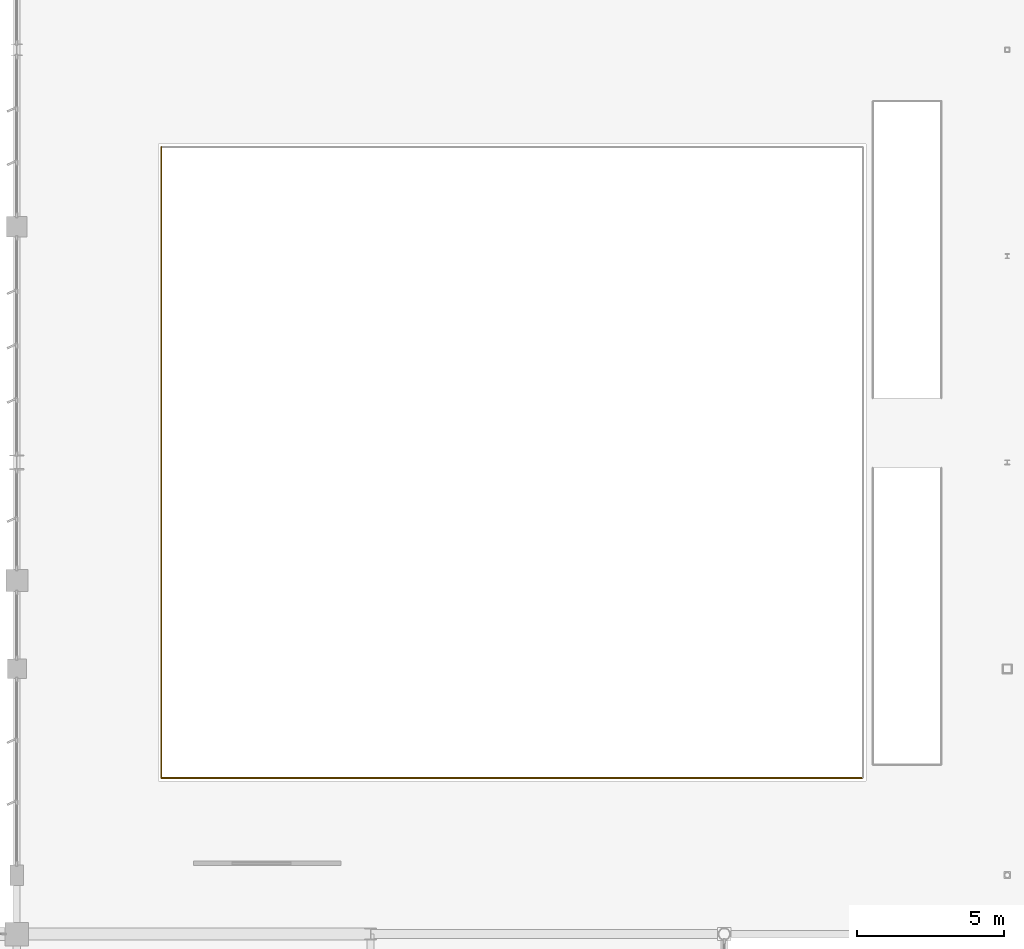
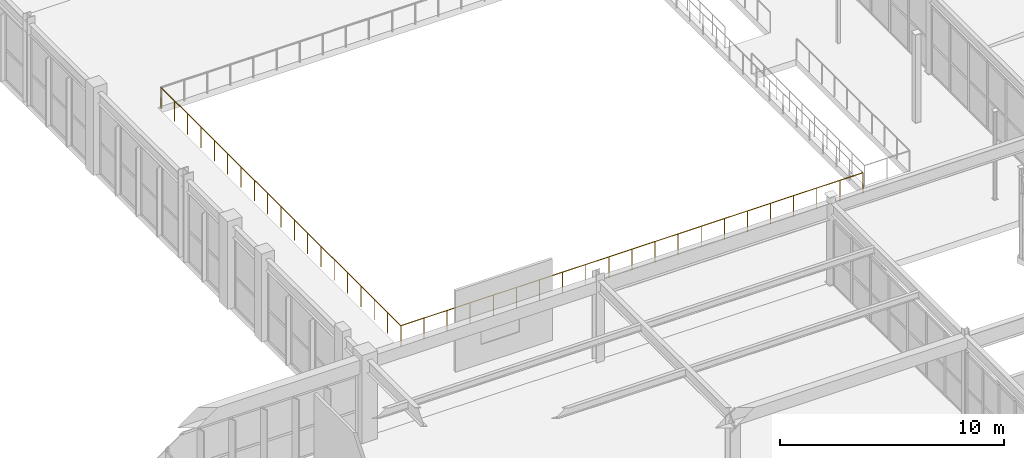
# One storey, part 207 of 226: 2 railings.
"""IFC4 building model written with IfcOpenShell, lengths in metres."""

from ifc_helpers import new_model, si_unit, direction, frame, origin, origin_2d, place, context, subcontext, project, spatial, circle, extrude, material, type_object, element, save


model = new_model("IFC4")

# Units and contexts
model_context = context("Model", 3, precision=1e-05, world=origin(), true_north=direction((0.0, 1.0)))
body_context = subcontext(model_context, "Body", "Model", "MODEL_VIEW")
ifc_project = project(units=[si_unit("LENGTHUNIT", "METRE"), si_unit("AREAUNIT", "SQUARE_METRE"), si_unit("VOLUMEUNIT", "CUBIC_METRE"), si_unit("PLANEANGLEUNIT", "RADIAN"), si_unit("MASSUNIT", "GRAM", prefix="KILO")], contexts=[model_context])

# Site, building, storey
site_placement = place(None, origin())
site = spatial("IfcSite", under=ifc_project, at=site_placement, CompositionType="ELEMENT")
building_placement = place(site_placement, origin())
building = spatial("IfcBuilding", under=site, at=building_placement, Name="Tarnwether General Hospital", CompositionType="ELEMENT")
storey_placement = place(building_placement, frame((0.0, 0.0, 4.800048828125)))
storey = spatial("IfcBuildingStorey", under=building, at=storey_placement, Name="L01", CompositionType="ELEMENT", Elevation=4.800048828125)

# Railings
ifc_material = material(Name="Double glazed low-E glass", Category="glass")
railing_type = type_object("IfcRailingType", Name="RL-BAL-ATR", PredefinedType="BALUSTRADE", material=ifc_material)
railing_1_placement = place(storey_placement, frame((112.89990234375, 50.89990234375, 0.0)))
element("IfcRailing", 1, at=railing_1_placement, inside=storey, type_object=railing_type, Name="Main Hall Atrium Balustrade L01 1", PredefinedType="BALUSTRADE", context=body_context, shape_type="SweptSolid", body=[
    extrude(circle(Radius=0.02392578125, at=origin_2d()), frame((0.0, 0.0, 1.1259765625), z_axis=(1.0, 0.0, 0.0), x_axis=(0.0, 1.0, 0.0)), (0.0, 0.0, 1.0), 23.800048828125),
    extrude(circle(Radius=0.02099609375, at=origin_2d()), origin(), (0.0, 0.0, 1.0), 1.101806640625),
    extrude(circle(Radius=0.02099609375, at=origin_2d()), frame((1.18994140625, 0.0, 0.0)), (0.0, 0.0, 1.0), 1.101806640625),
    extrude(circle(Radius=0.02099609375, at=origin_2d()), frame((2.3798828125, 0.0, 0.0)), (0.0, 0.0, 1.0), 1.101806640625),
    extrude(circle(Radius=0.02099609375, at=origin_2d()), frame((3.570068359375, 0.0, 0.0)), (0.0, 0.0, 1.0), 1.101806640625),
    extrude(circle(Radius=0.02099609375, at=origin_2d()), frame((4.760009765625, 0.0, 0.0)), (0.0, 0.0, 1.0), 1.101806640625),
    extrude(circle(Radius=0.02099609375, at=origin_2d()), frame((5.949951171875, 0.0, 0.0)), (0.0, 0.0, 1.0), 1.101806640625),
    extrude(circle(Radius=0.02099609375, at=origin_2d()), frame((7.14013671875, 0.0, 0.0)), (0.0, 0.0, 1.0), 1.101806640625),
    extrude(circle(Radius=0.02099609375, at=origin_2d()), frame((8.330078125, 0.0, 0.0)), (0.0, 0.0, 1.0), 1.101806640625),
    extrude(circle(Radius=0.02099609375, at=origin_2d()), frame((9.52001953125, 0.0, 0.0)), (0.0, 0.0, 1.0), 1.101806640625),
    extrude(circle(Radius=0.02099609375, at=origin_2d()), frame((10.7099609375, 0.0, 0.0)), (0.0, 0.0, 1.0), 1.101806640625),
    extrude(circle(Radius=0.02099609375, at=origin_2d()), frame((11.89990234375, 0.0, 0.0)), (0.0, 0.0, 1.0), 1.101806640625),
    extrude(circle(Radius=0.02099609375, at=origin_2d()), frame((13.090087890625, 0.0, 0.0)), (0.0, 0.0, 1.0), 1.101806640625),
    extrude(circle(Radius=0.02099609375, at=origin_2d()), frame((14.280029296875, 0.0, 0.0)), (0.0, 0.0, 1.0), 1.101806640625),
    extrude(circle(Radius=0.02099609375, at=origin_2d()), frame((15.469970703125, 0.0, 0.0)), (0.0, 0.0, 1.0), 1.101806640625),
    extrude(circle(Radius=0.02099609375, at=origin_2d()), frame((16.66015625, 0.0, 0.0)), (0.0, 0.0, 1.0), 1.101806640625),
    extrude(circle(Radius=0.02099609375, at=origin_2d()), frame((17.85009765625, 0.0, 0.0)), (0.0, 0.0, 1.0), 1.101806640625),
    extrude(circle(Radius=0.02099609375, at=origin_2d()), frame((19.0400390625, 0.0, 0.0)), (0.0, 0.0, 1.0), 1.101806640625),
    extrude(circle(Radius=0.02099609375, at=origin_2d()), frame((20.22998046875, 0.0, 0.0)), (0.0, 0.0, 1.0), 1.101806640625),
    extrude(circle(Radius=0.02099609375, at=origin_2d()), frame((21.419921875, 0.0, 0.0)), (0.0, 0.0, 1.0), 1.101806640625),
    extrude(circle(Radius=0.02099609375, at=origin_2d()), frame((22.610107421875, 0.0, 0.0)), (0.0, 0.0, 1.0), 1.101806640625),
    extrude(circle(Radius=0.02099609375, at=origin_2d()), frame((23.800048828125, 0.0, 0.0)), (0.0, 0.0, 1.0), 1.101806640625),
])
railing_2_placement = place(storey_placement, frame((112.89990234375, 72.300048828125, 0.0)))
element("IfcRailing", 2, at=railing_2_placement, inside=storey, type_object=railing_type, Name="Main Hall Atrium Balustrade L01 4", PredefinedType="BALUSTRADE", context=body_context, shape_type="SweptSolid", body=[
    extrude(circle(Radius=0.02392578125, at=origin_2d()), frame((0.0, 0.0, 1.1259765625), z_axis=(0.0, -1.0, 0.0), x_axis=(1.0, 0.0, 0.0)), (0.0, 0.0, 1.0), 21.400146484375),
    extrude(circle(Radius=0.02099609375, at=origin_2d()), origin(), (0.0, 0.0, 1.0), 1.101806640625),
    extrude(circle(Radius=0.02099609375, at=origin_2d()), frame((0.0, -1.18896484375, 0.0)), (0.0, 0.0, 1.0), 1.101806640625),
    extrude(circle(Radius=0.02099609375, at=origin_2d()), frame((0.0, -2.377685546875, 0.0)), (0.0, 0.0, 1.0), 1.101806640625),
    extrude(circle(Radius=0.02099609375, at=origin_2d()), frame((0.0, -3.566650390625, 0.0)), (0.0, 0.0, 1.0), 1.101806640625),
    extrude(circle(Radius=0.02099609375, at=origin_2d()), frame((0.0, -4.755615234375, 0.0)), (0.0, 0.0, 1.0), 1.101806640625),
    extrude(circle(Radius=0.02099609375, at=origin_2d()), frame((0.0, -5.944580078125, 0.0)), (0.0, 0.0, 1.0), 1.101806640625),
    extrude(circle(Radius=0.02099609375, at=origin_2d()), frame((0.0, -7.13330078125, 0.0)), (0.0, 0.0, 1.0), 1.101806640625),
    extrude(circle(Radius=0.02099609375, at=origin_2d()), frame((0.0, -8.322265625, 0.0)), (0.0, 0.0, 1.0), 1.101806640625),
    extrude(circle(Radius=0.02099609375, at=origin_2d()), frame((0.0, -9.51123046875, 0.0)), (0.0, 0.0, 1.0), 1.101806640625),
    extrude(circle(Radius=0.02099609375, at=origin_2d()), frame((0.0, -10.7001953125, 0.0)), (0.0, 0.0, 1.0), 1.101806640625),
    extrude(circle(Radius=0.02099609375, at=origin_2d()), frame((0.0, -11.888916015625, 0.0)), (0.0, 0.0, 1.0), 1.101806640625),
    extrude(circle(Radius=0.02099609375, at=origin_2d()), frame((0.0, -13.077880859375, 0.0)), (0.0, 0.0, 1.0), 1.101806640625),
    extrude(circle(Radius=0.02099609375, at=origin_2d()), frame((0.0, -14.266845703125, 0.0)), (0.0, 0.0, 1.0), 1.101806640625),
    extrude(circle(Radius=0.02099609375, at=origin_2d()), frame((0.0, -15.45556640625, 0.0)), (0.0, 0.0, 1.0), 1.101806640625),
    extrude(circle(Radius=0.02099609375, at=origin_2d()), frame((0.0, -16.64453125, 0.0)), (0.0, 0.0, 1.0), 1.101806640625),
    extrude(circle(Radius=0.02099609375, at=origin_2d()), frame((0.0, -17.83349609375, 0.0)), (0.0, 0.0, 1.0), 1.101806640625),
    extrude(circle(Radius=0.02099609375, at=origin_2d()), frame((0.0, -19.0224609375, 0.0)), (0.0, 0.0, 1.0), 1.101806640625),
    extrude(circle(Radius=0.02099609375, at=origin_2d()), frame((0.0, -20.211181640625, 0.0)), (0.0, 0.0, 1.0), 1.101806640625),
    extrude(circle(Radius=0.02099609375, at=origin_2d()), frame((0.0, -21.400146484375, 0.0)), (0.0, 0.0, 1.0), 1.101806640625),
])

save(model, "model.ifc")
